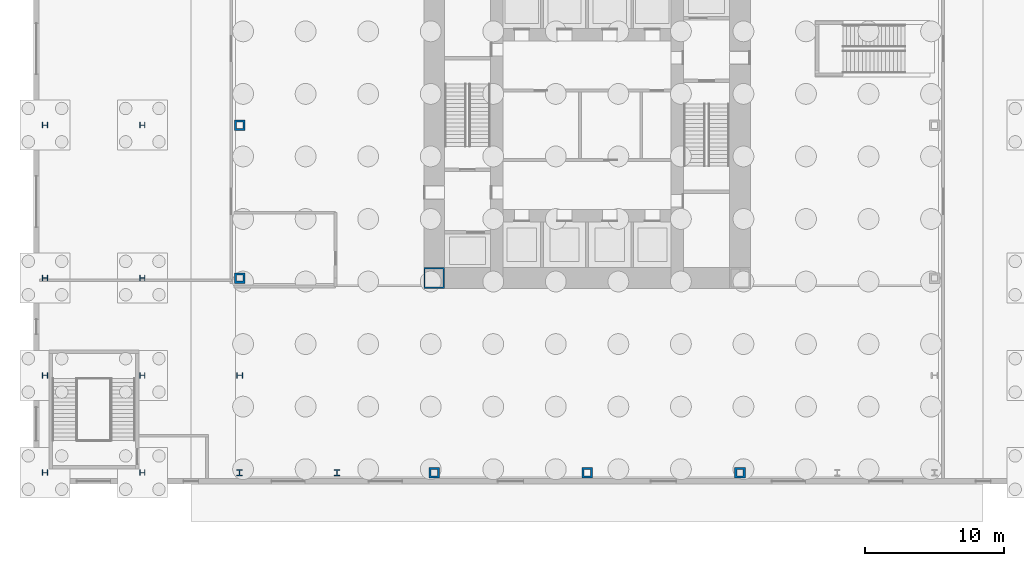
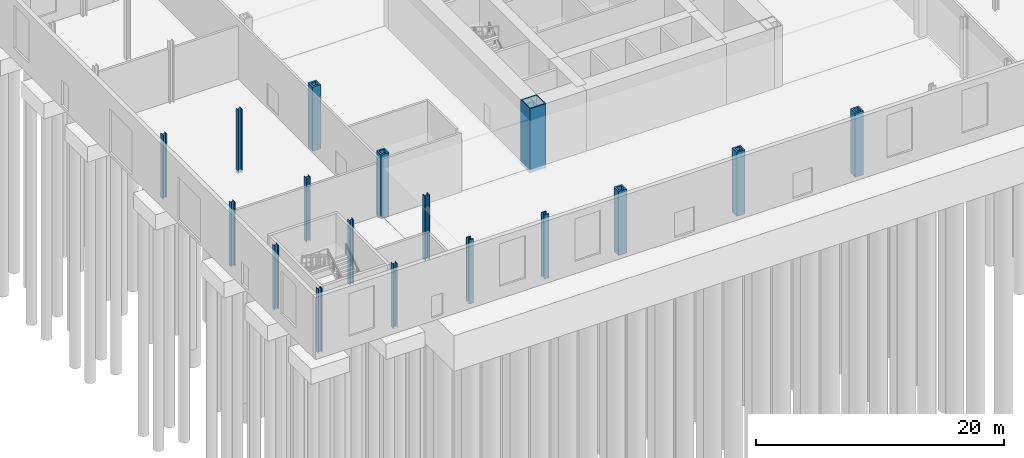
# One storey, part 3 of 16: 17 columns.
"""IFC4 building model written with IfcOpenShell, lengths in metres."""

from ifc_helpers import new_model, si_unit, direction, frame, origin, origin_2d, place, context, subcontext, project, spatial, hollow_rectangle, i_section, extrude, material, material_profile, profile_set, type_object, element, save


model = new_model("IFC4")

# Units and contexts
model_context = context("Model", 3, precision=1e-05, world=origin(), true_north=direction((0.0, 1.0)))
body_context = subcontext(model_context, "Body", "Model", "MODEL_VIEW")
ifc_project = project(units=[si_unit("LENGTHUNIT", "METRE"), si_unit("AREAUNIT", "SQUARE_METRE"), si_unit("VOLUMEUNIT", "CUBIC_METRE"), si_unit("PLANEANGLEUNIT", "RADIAN"), si_unit("MASSUNIT", "GRAM", prefix="KILO")], contexts=[model_context])

# Site, building, storey
site_placement = place(None, origin())
site = spatial("IfcSite", under=ifc_project, at=site_placement, CompositionType="ELEMENT")
building_placement = place(site_placement, origin())
building = spatial("IfcBuilding", under=site, at=building_placement, Name="Trevanion Tower", CompositionType="ELEMENT")
storey_placement = place(building_placement, origin())
storey = spatial("IfcBuildingStorey", under=building, at=storey_placement, Name="L00", CompositionType="ELEMENT", Elevation=0.0)

# Columns
ifc_material_1 = material(Name="Steel ASTM A588 Grade 50", Category="steel")
ifc_material_profile_1 = material_profile(ifc_material_1, hollow_rectangle(XDim=0.761962890625, YDim=0.761962890625, WallThickness=0.15234375, at=origin_2d()), Name="BOX30X30X6")
ifc_profile_set_1 = profile_set([ifc_material_profile_1], Name="Steel ASTM A588 Grade 50")
column_type_1 = type_object("IfcColumnType", Name="C1 BOX30X30X6", PredefinedType="COLUMN", material=ifc_profile_set_1)
for number, where, z_axis, x_axis, name in (
    (1, (-25.0, 0.0, -0.300048828125), (0.0, 0.0, 1.0), (0.0, 1.0, 0.0), "C1 3/H L00"),
    (2, (-25.0, -11.0, -0.300048828125), (0.0, 0.0, 1.0), (0.0, 1.0, 0.0), "C1 3/F L00"),
    (3, (-11.0, -25.0, -0.300048828125), (0.0, 0.0, 1.0), (1.0, 0.0, 0.0), "C1 8/A L00"),
    (4, (0.0, -25.0, -0.300048828125), (0.0, 0.0, 1.0), (1.0, 0.0, 0.0), "C1 10/A L00"),
    (5, (11.0, -25.0, -0.300048828125), (0.0, 0.0, 1.0), (1.0, 0.0, 0.0), "C1 12/A L00"),
):
    element("IfcColumn", number, at=place(storey_placement, frame(where, z_axis=z_axis, x_axis=x_axis)), inside=storey, type_object=column_type_1, Name=name, PredefinedType="COLUMN", context=body_context, shape_type="SweptSolid", body=[
        extrude(hollow_rectangle(XDim=0.761962890625, YDim=0.761962890625, WallThickness=0.15234375, at=origin_2d()), origin(), (0.0, 0.0, 1.0), 6.300048828125),
    ])
ifc_material_2 = material(Name="Steel ASTM A913 Grade 65", Category="steel")
ifc_material_profile_2 = material_profile(ifc_material_2, i_section(OverallWidth=0.4267578125, OverallDepth=0.482666015625, WebThickness=0.05126953125, FlangeThickness=0.08154296875, at=origin_2d()), Name="W14X455")
ifc_profile_set_2 = profile_set([ifc_material_profile_2], Name="Steel ASTM A913 Grade 65")
column_type_2 = type_object("IfcColumnType", Name="C2 W14X455", PredefinedType="COLUMN", material=ifc_profile_set_2)
for number, where, z_axis, x_axis, name in (
    (6, (-25.0, -18.0, -0.300048828125), (0.0, 0.0, 1.0), (0.0, 1.0, 0.0), "C2 3/D L00"),
    (7, (-25.0, -25.0, -0.300048828125), (0.0, 0.0, 1.0), (1.0, 0.0, 0.0), "C2 3/A L00"),
    (8, (-18.0, -25.0, -0.300048828125), (0.0, 0.0, 1.0), (1.0, 0.0, 0.0), "C2 6/A L00"),
):
    element("IfcColumn", number, at=place(storey_placement, frame(where, z_axis=z_axis, x_axis=x_axis)), inside=storey, type_object=column_type_2, Name=name, PredefinedType="COLUMN", context=body_context, shape_type="SweptSolid", body=[
        extrude(i_section(OverallWidth=0.4267578125, OverallDepth=0.482666015625, WebThickness=0.05126953125, FlangeThickness=0.08154296875, at=origin_2d()), origin(), (0.0, 0.0, 1.0), 6.300048828125),
    ])
ifc_material_3 = material(Name="Steel ASTM A913 Grade 65", Category="steel")
ifc_material_profile_3 = material_profile(ifc_material_3, i_section(OverallWidth=0.393798828125, OverallDepth=0.3759765625, WebThickness=0.017333984375, FlangeThickness=0.027587890625, at=origin_2d()), Name="W14X145")
ifc_profile_set_3 = profile_set([ifc_material_profile_3], Name="Steel ASTM A913 Grade 65")
column_type_3 = type_object("IfcColumnType", Name="C3 W14X145", PredefinedType="COLUMN", material=ifc_profile_set_3)
for number, where, z_axis, x_axis, name in (
    (9, (-39.0, -25.0, -0.300048828125), (0.0, 0.0, 1.0), (0.0, 1.0, 0.0), "C3 1/A L00"),
    (10, (-39.0, -18.0, -0.300048828125), (0.0, 0.0, 1.0), (0.0, 1.0, 0.0), "C3 1/D L00"),
    (11, (-39.0, -11.0, -0.300048828125), (0.0, 0.0, 1.0), (0.0, 1.0, 0.0), "C3 1/F L00"),
    (12, (-39.0, 0.0, -0.300048828125), (0.0, 0.0, 1.0), (0.0, 1.0, 0.0), "C3 1/H L00"),
    (13, (-32.0, -25.0, -0.300048828125), (0.0, 0.0, 1.0), (0.0, 1.0, 0.0), "C3 2/A L00"),
    (14, (-32.0, -18.0, -0.300048828125), (0.0, 0.0, 1.0), (0.0, 1.0, 0.0), "C3 2/D L00"),
    (15, (-32.0, -11.0, -0.300048828125), (0.0, 0.0, 1.0), (0.0, 1.0, 0.0), "C3 2/F L00"),
    (16, (-32.0, 0.0, -0.300048828125), (0.0, 0.0, 1.0), (0.0, 1.0, 0.0), "C3 2/H L00"),
):
    element("IfcColumn", number, at=place(storey_placement, frame(where, z_axis=z_axis, x_axis=x_axis)), inside=storey, type_object=column_type_3, Name=name, PredefinedType="COLUMN", context=body_context, shape_type="SweptSolid", body=[
        extrude(i_section(OverallWidth=0.393798828125, OverallDepth=0.3759765625, WebThickness=0.017333984375, FlangeThickness=0.027587890625, at=origin_2d()), origin(), (0.0, 0.0, 1.0), 6.300048828125),
    ])
ifc_material_4 = material(Name="Steel ASTM A572 Grade 50", Category="steel")
ifc_material_profile_4 = material_profile(ifc_material_4, hollow_rectangle(XDim=1.49853515625, YDim=1.49853515625, WallThickness=0.1015625, at=origin_2d()), Name="BOX59X59X4")
ifc_profile_set_4 = profile_set([ifc_material_profile_4], Name="Steel ASTM A572 Grade 50")
column_type_4 = type_object("IfcColumnType", Name="CB1 BOX59X59X4", PredefinedType="COLUMN", material=ifc_profile_set_4)
column_placement = place(storey_placement, frame((-11.0, -11.0, -0.300048828125), z_axis=(0.0, 0.0, 1.0), x_axis=(1.0, 0.0, 0.0)))
element("IfcColumn", 17, at=column_placement, inside=storey, type_object=column_type_4, Name="CB1 SW L00", PredefinedType="COLUMN", context=body_context, shape_type="SweptSolid", body=[
    extrude(hollow_rectangle(XDim=1.49853515625, YDim=1.49853515625, WallThickness=0.1015625, at=origin_2d()), origin(), (0.0, 0.0, 1.0), 6.300048828125),
])

save(model, "model.ifc")
